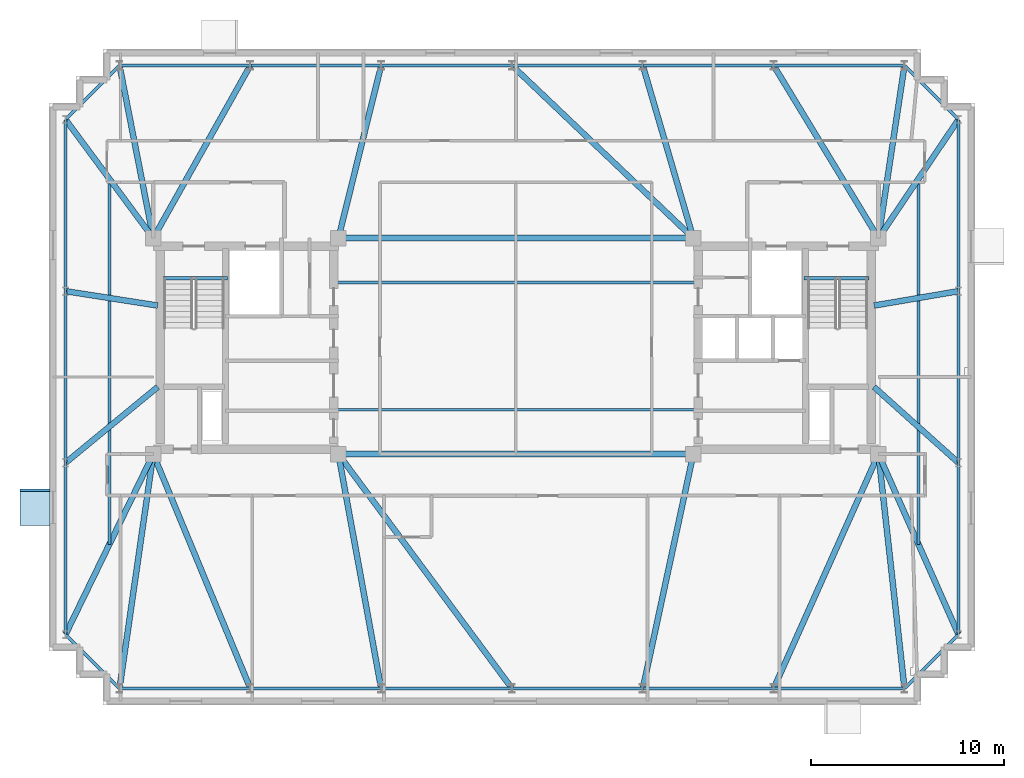
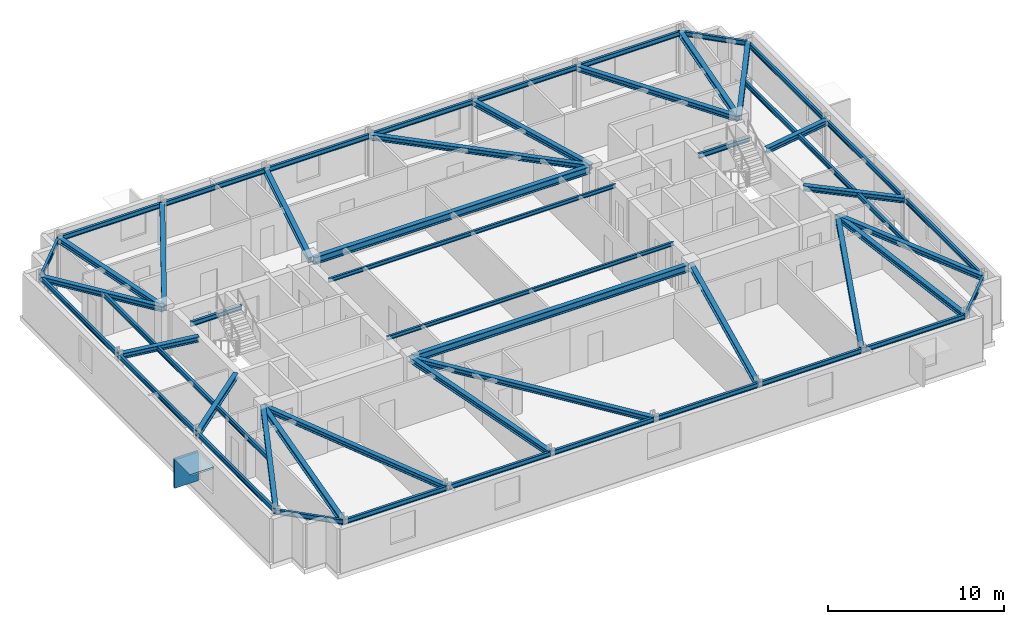
# One storey, part 4 of 10: 52 beams, 2 plates.
"""IFC4 building model written with IfcOpenShell, lengths in metres."""

from ifc_helpers import new_model, si_unit, direction, frame, origin, origin_2d, place, context, subcontext, project, spatial, rectangle, i_section, extrude, material, layer, layer_set, material_profile, profile_set, type_object, element, save


model = new_model("IFC4")

# Units and contexts
model_context = context("Model", 3, precision=1e-05, world=origin(), true_north=direction((0.0, 1.0)))
body_context = subcontext(model_context, "Body", "Model", "MODEL_VIEW")
ifc_project = project(units=[si_unit("LENGTHUNIT", "METRE"), si_unit("AREAUNIT", "SQUARE_METRE"), si_unit("VOLUMEUNIT", "CUBIC_METRE"), si_unit("PLANEANGLEUNIT", "RADIAN"), si_unit("MASSUNIT", "GRAM", prefix="KILO")], contexts=[model_context])

# Site, building, storey
site_placement = place(None, origin())
site = spatial("IfcSite", under=ifc_project, at=site_placement, CompositionType="ELEMENT")
building_placement = place(site_placement, origin())
building = spatial("IfcBuilding", under=site, at=building_placement, Name="Qobustan Lattice House", CompositionType="ELEMENT")
storey_placement = place(building_placement, frame((0.0, 0.0, 235.0)))
storey = spatial("IfcBuildingStorey", under=building, at=storey_placement, Name="L66", CompositionType="ELEMENT", Elevation=235.0)

# Beams
ifc_material_1 = material(Name="Steel S355", Category="steel")
ifc_material_profile_1 = material_profile(ifc_material_1, i_section(OverallWidth=0.300048828125, OverallDepth=0.5, WebThickness=0.014404296875, FlangeThickness=0.028076171875, FilletRadius=0.027099609375, at=origin_2d()), Name="HEB500")
ifc_profile_set_1 = profile_set([ifc_material_profile_1], Name="Steel S355")
beam_type_1 = type_object("IfcBeamType", Name="BM-CG-HEB500", PredefinedType="USERDEFINED", material=ifc_profile_set_1)
for number, where, z_axis, x_axis, name in (
    (1, (-9.050048828125, -5.60009765625, 2.7900390625), (1.0, 0.0, 0.0), (0.0, 1.0, 0.0), "L66 core spine girder CG-CS"),
    (2, (-9.050048828125, 5.60009765625, 2.7900390625), (1.0, 0.0, 0.0), (0.0, 1.0, 0.0), "L66 core spine girder CG-CN"),
):
    element("IfcBeam", number, at=place(storey_placement, frame(where, z_axis=z_axis, x_axis=x_axis)), inside=storey, type_object=beam_type_1, Name=name, ObjectType="GIRDER", PredefinedType="USERDEFINED", context=body_context, shape_type="SweptSolid", body=[
        extrude(i_section(OverallWidth=0.300048828125, OverallDepth=0.5, WebThickness=0.014404296875, FlangeThickness=0.028076171875, FilletRadius=0.027099609375, at=origin_2d()), origin(), (0.0, 0.0, 1.0), 18.10009765625),
    ])
ifc_material_2 = material(Name="Steel S355", Category="steel")
ifc_material_profile_2 = material_profile(ifc_material_2, i_section(OverallWidth=0.300048828125, OverallDepth=0.360107421875, WebThickness=0.012451171875, FlangeThickness=0.0224609375, FilletRadius=0.027099609375, at=origin_2d()), Name="HEB360")
ifc_profile_set_2 = profile_set([ifc_material_profile_2], Name="Steel S355")
beam_type_2 = type_object("IfcBeamType", Name="BM-FLG-HEB360", PredefinedType="USERDEFINED", material=ifc_profile_set_2)
beam_1_placement = place(storey_placement, frame((-20.54638671875, -17.725341796875, 2.860107421875), z_axis=(0.142545171265, 0.989788297642, 0.0), x_axis=(-0.989788297642, 0.142545171265, 0.0)))
element("IfcBeam", 3, at=beam_1_placement, inside=storey, type_object=beam_type_2, Name="L66 primary floor girder RAD-S1W", ObjectType="GIRDER", PredefinedType="USERDEFINED", context=body_context, shape_type="SweptSolid", body=[
    extrude(i_section(OverallWidth=0.300048828125, OverallDepth=0.360107421875, WebThickness=0.012451171875, FlangeThickness=0.0224609375, FilletRadius=0.027099609375, at=origin_2d()), origin(), (0.0, 0.0, 1.0), 12.225341796875),
])
beam_2_placement = place(storey_placement, frame((-13.7763671875, -17.726806640625, 2.860107421875), z_axis=(-0.38270783551, 0.92386942402, 0.0), x_axis=(-0.92386942402, -0.38270783551, 0.0)))
element("IfcBeam", 4, at=beam_2_placement, inside=storey, type_object=beam_type_2, Name="L66 primary floor girder RAD-S2", ObjectType="GIRDER", PredefinedType="USERDEFINED", context=body_context, shape_type="SweptSolid", body=[
    extrude(i_section(OverallWidth=0.300048828125, OverallDepth=0.360107421875, WebThickness=0.012451171875, FlangeThickness=0.0224609375, FilletRadius=0.027099609375, at=origin_2d()), origin(), (0.0, 0.0, 1.0), 13.10107421875),
])
beam_3_placement = place(storey_placement, frame((-6.98779296875, -17.725341796875, 2.860107421875), z_axis=(-0.179484493831, 0.983760802469, 0.0), x_axis=(-0.983760802469, -0.179484493831, 0.0)))
element("IfcBeam", 5, at=beam_3_placement, inside=storey, type_object=beam_type_2, Name="L66 primary floor girder RAD-S3", ObjectType="GIRDER", PredefinedType="USERDEFINED", context=body_context, shape_type="SweptSolid", body=[
    extrude(i_section(OverallWidth=0.300048828125, OverallDepth=0.360107421875, WebThickness=0.012451171875, FlangeThickness=0.0224609375, FilletRadius=0.027099609375, at=origin_2d()), origin(), (0.0, 0.0, 1.0), 12.300537109375),
])
beam_4_placement = place(storey_placement, frame((-0.21484375, -17.72998046875, 2.860107421875), z_axis=(-0.595225226069, 0.803558915233, 0.0), x_axis=(-0.803558915233, -0.595225226069, 0.0)))
element("IfcBeam", 6, at=beam_4_placement, inside=storey, type_object=beam_type_2, Name="L66 primary floor girder RAD-S4", ObjectType="GIRDER", PredefinedType="USERDEFINED", context=body_context, shape_type="SweptSolid", body=[
    extrude(i_section(OverallWidth=0.300048828125, OverallDepth=0.360107421875, WebThickness=0.012451171875, FlangeThickness=0.0224609375, FilletRadius=0.027099609375, at=origin_2d()), origin(), (0.0, 0.0, 1.0), 15.0703125),
])
beam_5_placement = place(storey_placement, frame((6.588623046875, -17.7255859375, 2.860107421875), z_axis=(0.210523018319, 0.977588900693, 0.0), x_axis=(-0.977588900693, 0.210523018319, 0.0)))
element("IfcBeam", 7, at=beam_5_placement, inside=storey, type_object=beam_type_2, Name="L66 primary floor girder RAD-S5", ObjectType="GIRDER", PredefinedType="USERDEFINED", context=body_context, shape_type="SweptSolid", body=[
    extrude(i_section(OverallWidth=0.300048828125, OverallDepth=0.360107421875, WebThickness=0.012451171875, FlangeThickness=0.0224609375, FilletRadius=0.027099609375, at=origin_2d()), origin(), (0.0, 0.0, 1.0), 12.37841796875),
])
beam_6_placement = place(storey_placement, frame((13.376953125, -17.727294921875, 2.860107421875), z_axis=(0.408219903586, 0.912883623643, 0.0), x_axis=(-0.912883623643, 0.408219903586, 0.0)))
element("IfcBeam", 8, at=beam_6_placement, inside=storey, type_object=beam_type_2, Name="L66 primary floor girder RAD-S6", ObjectType="GIRDER", PredefinedType="USERDEFINED", context=body_context, shape_type="SweptSolid", body=[
    extrude(i_section(OverallWidth=0.300048828125, OverallDepth=0.360107421875, WebThickness=0.012451171875, FlangeThickness=0.0224609375, FilletRadius=0.027099609375, at=origin_2d()), origin(), (0.0, 0.0, 1.0), 13.259521484375),
])
beam_7_placement = place(storey_placement, frame((20.147216796875, -17.72509765625, 2.860107421875), z_axis=(-0.110431526075, 0.993883734674, 0.0), x_axis=(-0.993883734674, -0.110431526075, 0.0)))
element("IfcBeam", 9, at=beam_7_placement, inside=storey, type_object=beam_type_2, Name="L66 primary floor girder RAD-S7E", ObjectType="GIRDER", PredefinedType="USERDEFINED", context=body_context, shape_type="SweptSolid", body=[
    extrude(i_section(OverallWidth=0.300048828125, OverallDepth=0.360107421875, WebThickness=0.012451171875, FlangeThickness=0.0224609375, FilletRadius=0.027099609375, at=origin_2d()), origin(), (0.0, 0.0, 1.0), 12.1748046875),
])
beam_8_placement = place(storey_placement, frame((-20.545166015625, 14.525390625, 2.860107421875), z_axis=(0.191905644581, -0.981413380578, 0.0), x_axis=(0.981413380578, 0.191905644581, 0.0)))
element("IfcBeam", 10, at=beam_8_placement, inside=storey, type_object=beam_type_2, Name="L66 primary floor girder RAD-N7W", ObjectType="GIRDER", PredefinedType="USERDEFINED", context=body_context, shape_type="SweptSolid", body=[
    extrude(i_section(OverallWidth=0.300048828125, OverallDepth=0.360107421875, WebThickness=0.012451171875, FlangeThickness=0.0224609375, FilletRadius=0.027099609375, at=origin_2d()), origin(), (0.0, 0.0, 1.0), 9.0693359375),
])
beam_9_placement = place(storey_placement, frame((-13.779052734375, 14.5283203125, 2.860107421875), z_axis=(-0.490160276962, -0.871632320929, 0.0), x_axis=(0.871632320929, -0.490160276962, 0.0)))
element("IfcBeam", 11, at=beam_9_placement, inside=storey, type_object=beam_type_2, Name="L66 primary floor girder RAD-N6", ObjectType="GIRDER", PredefinedType="USERDEFINED", context=body_context, shape_type="SweptSolid", body=[
    extrude(i_section(OverallWidth=0.300048828125, OverallDepth=0.360107421875, WebThickness=0.012451171875, FlangeThickness=0.0224609375, FilletRadius=0.027099609375, at=origin_2d()), origin(), (0.0, 0.0, 1.0), 10.21826171875),
])
beam_10_placement = place(storey_placement, frame((-6.9892578125, 14.525634765625, 2.860107421875), z_axis=(-0.240430288899, -0.970666408289, 0.0), x_axis=(0.970666408289, -0.240430288899, 0.0)))
element("IfcBeam", 12, at=beam_10_placement, inside=storey, type_object=beam_type_2, Name="L66 primary floor girder RAD-N5", ObjectType="GIRDER", PredefinedType="USERDEFINED", context=body_context, shape_type="SweptSolid", body=[
    extrude(i_section(OverallWidth=0.300048828125, OverallDepth=0.360107421875, WebThickness=0.012451171875, FlangeThickness=0.0224609375, FilletRadius=0.027099609375, at=origin_2d()), origin(), (0.0, 0.0, 1.0), 9.17041015625),
])
beam_11_placement = place(storey_placement, frame((-0.181884765625, 14.53271484375, 2.860107421875), z_axis=(0.724228633775, -0.689559921995, 0.0), x_axis=(0.689559921995, 0.724228633775, 0.0)))
element("IfcBeam", 13, at=beam_11_placement, inside=storey, type_object=beam_type_2, Name="L66 primary floor girder RAD-N4", ObjectType="GIRDER", PredefinedType="USERDEFINED", context=body_context, shape_type="SweptSolid", body=[
    extrude(i_section(OverallWidth=0.300048828125, OverallDepth=0.360107421875, WebThickness=0.012451171875, FlangeThickness=0.0224609375, FilletRadius=0.027099609375, at=origin_2d()), origin(), (0.0, 0.0, 1.0), 12.92919921875),
])
beam_12_placement = place(storey_placement, frame((6.59033203125, 14.52587890625, 2.860107421875), z_axis=(0.28063676088, -0.959814048888, 0.0), x_axis=(0.959814048888, 0.28063676088, 0.0)))
element("IfcBeam", 14, at=beam_12_placement, inside=storey, type_object=beam_type_2, Name="L66 primary floor girder RAD-N3", ObjectType="GIRDER", PredefinedType="USERDEFINED", context=body_context, shape_type="SweptSolid", body=[
    extrude(i_section(OverallWidth=0.300048828125, OverallDepth=0.360107421875, WebThickness=0.012451171875, FlangeThickness=0.0224609375, FilletRadius=0.027099609375, at=origin_2d()), origin(), (0.0, 0.0, 1.0), 9.274658203125),
])
beam_13_placement = place(storey_placement, frame((13.379638671875, 14.528564453125, 2.860107421875), z_axis=(0.518943895492, -0.854808302096, 0.0), x_axis=(0.854808302096, 0.518943895492, 0.0)))
element("IfcBeam", 15, at=beam_13_placement, inside=storey, type_object=beam_type_2, Name="L66 primary floor girder RAD-N2", ObjectType="GIRDER", PredefinedType="USERDEFINED", context=body_context, shape_type="SweptSolid", body=[
    extrude(i_section(OverallWidth=0.300048828125, OverallDepth=0.360107421875, WebThickness=0.012451171875, FlangeThickness=0.0224609375, FilletRadius=0.027099609375, at=origin_2d()), origin(), (0.0, 0.0, 1.0), 10.420166015625),
])
beam_14_placement = place(storey_placement, frame((20.146240234375, 14.525390625, 2.860107421875), z_axis=(-0.149148118249, -0.988814865798, 0.0), x_axis=(0.988814865798, -0.149148118249, 0.0)))
element("IfcBeam", 16, at=beam_14_placement, inside=storey, type_object=beam_type_2, Name="L66 primary floor girder RAD-N1E", ObjectType="GIRDER", PredefinedType="USERDEFINED", context=body_context, shape_type="SweptSolid", body=[
    extrude(i_section(OverallWidth=0.300048828125, OverallDepth=0.360107421875, WebThickness=0.012451171875, FlangeThickness=0.0224609375, FilletRadius=0.027099609375, at=origin_2d()), origin(), (0.0, 0.0, 1.0), 9.001220703125),
])
beam_15_placement = place(storey_placement, frame((-23.335205078125, 11.72998046875, 2.860107421875), z_axis=(0.594754993974, -0.80390702021, 0.0), x_axis=(0.80390702021, 0.594754993974, 0.0)))
element("IfcBeam", 17, at=beam_15_placement, inside=storey, type_object=beam_type_2, Name="L66 primary floor girder RAD-W1", ObjectType="GIRDER", PredefinedType="USERDEFINED", context=body_context, shape_type="SweptSolid", body=[
    extrude(i_section(OverallWidth=0.300048828125, OverallDepth=0.360107421875, WebThickness=0.012451171875, FlangeThickness=0.0224609375, FilletRadius=0.027099609375, at=origin_2d()), origin(), (0.0, 0.0, 1.0), 7.60009765625),
])
beam_16_placement = place(storey_placement, frame((-23.3251953125, 2.84619140625, 2.860107421875), z_axis=(0.988014453876, -0.154361390677, 0.0), x_axis=(0.154361390677, 0.988014453876, 0.0)))
element("IfcBeam", 18, at=beam_16_placement, inside=storey, type_object=beam_type_2, Name="L66 primary floor girder RAD-W2", ObjectType="GIRDER", PredefinedType="USERDEFINED", context=body_context, shape_type="SweptSolid", body=[
    extrude(i_section(OverallWidth=0.300048828125, OverallDepth=0.360107421875, WebThickness=0.012451171875, FlangeThickness=0.0224609375, FilletRadius=0.027099609375, at=origin_2d()), origin(), (0.0, 0.0, 1.0), 4.80810546875),
])
beam_17_placement = place(storey_placement, frame((-23.330810546875, -6.0341796875, 2.860107421875), z_axis=(0.772169041192, 0.635417163621, 0.0), x_axis=(-0.635417163621, 0.772169041192, 0.0)))
element("IfcBeam", 19, at=beam_17_placement, inside=storey, type_object=beam_type_2, Name="L66 primary floor girder RAD-W3", ObjectType="GIRDER", PredefinedType="USERDEFINED", context=body_context, shape_type="SweptSolid", body=[
    extrude(i_section(OverallWidth=0.300048828125, OverallDepth=0.360107421875, WebThickness=0.012451171875, FlangeThickness=0.0224609375, FilletRadius=0.027099609375, at=origin_2d()), origin(), (0.0, 0.0, 1.0), 6.166259765625),
])
beam_18_placement = place(storey_placement, frame((-23.339111328125, -14.927490234375, 2.860107421875), z_axis=(0.437590490598, 0.899174378271, 0.0), x_axis=(-0.899174378271, 0.437590490598, 0.0)))
element("IfcBeam", 20, at=beam_18_placement, inside=storey, type_object=beam_type_2, Name="L66 primary floor girder RAD-W4", ObjectType="GIRDER", PredefinedType="USERDEFINED", context=body_context, shape_type="SweptSolid", body=[
    extrude(i_section(OverallWidth=0.300048828125, OverallDepth=0.360107421875, WebThickness=0.012451171875, FlangeThickness=0.0224609375, FilletRadius=0.027099609375, at=origin_2d()), origin(), (0.0, 0.0, 1.0), 10.348388671875),
])
beam_19_placement = place(storey_placement, frame((22.93603515625, 11.729248046875, 2.860107421875), z_axis=(-0.559355068937, -0.828928167488, 0.0), x_axis=(0.828928167488, -0.559355068937, 0.0)))
element("IfcBeam", 21, at=beam_19_placement, inside=storey, type_object=beam_type_2, Name="L66 primary floor girder RAD-E4", ObjectType="GIRDER", PredefinedType="USERDEFINED", context=body_context, shape_type="SweptSolid", body=[
    extrude(i_section(OverallWidth=0.300048828125, OverallDepth=0.360107421875, WebThickness=0.012451171875, FlangeThickness=0.0224609375, FilletRadius=0.027099609375, at=origin_2d()), origin(), (0.0, 0.0, 1.0), 7.369384765625),
])
beam_20_placement = place(storey_placement, frame((22.92529296875, 2.845703125, 2.860107421875), z_axis=(-0.985786297247, -0.168004095664, 0.0), x_axis=(0.168004095664, -0.985786297247, 0.0)))
element("IfcBeam", 22, at=beam_20_placement, inside=storey, type_object=beam_type_2, Name="L66 primary floor girder RAD-E3", ObjectType="GIRDER", PredefinedType="USERDEFINED", context=body_context, shape_type="SweptSolid", body=[
    extrude(i_section(OverallWidth=0.300048828125, OverallDepth=0.360107421875, WebThickness=0.012451171875, FlangeThickness=0.0224609375, FilletRadius=0.027099609375, at=origin_2d()), origin(), (0.0, 0.0, 1.0), 4.413330078125),
])
beam_21_placement = place(storey_placement, frame((22.931396484375, -6.033203125, 2.860107421875), z_axis=(-0.744142492307, 0.668020921186, 0.0), x_axis=(-0.668020921186, -0.744142492307, 0.0)))
element("IfcBeam", 23, at=beam_21_placement, inside=storey, type_object=beam_type_2, Name="L66 primary floor girder RAD-E2", ObjectType="GIRDER", PredefinedType="USERDEFINED", context=body_context, shape_type="SweptSolid", body=[
    extrude(i_section(OverallWidth=0.300048828125, OverallDepth=0.360107421875, WebThickness=0.012451171875, FlangeThickness=0.0224609375, FilletRadius=0.027099609375, at=origin_2d()), origin(), (0.0, 0.0, 1.0), 5.86279296875),
])
beam_22_placement = place(storey_placement, frame((22.93994140625, -14.927001953125, 2.860107421875), z_axis=(-0.405702269061, 0.914005289306, 0.0), x_axis=(-0.914005289306, -0.405702269061, 0.0)))
element("IfcBeam", 24, at=beam_22_placement, inside=storey, type_object=beam_type_2, Name="L66 primary floor girder RAD-E1", ObjectType="GIRDER", PredefinedType="USERDEFINED", context=body_context, shape_type="SweptSolid", body=[
    extrude(i_section(OverallWidth=0.300048828125, OverallDepth=0.360107421875, WebThickness=0.012451171875, FlangeThickness=0.0224609375, FilletRadius=0.027099609375, at=origin_2d()), origin(), (0.0, 0.0, 1.0), 10.1796875),
])
ifc_material_3 = material(Name="Steel S355", Category="steel")
ifc_material_profile_3 = material_profile(ifc_material_3, i_section(OverallWidth=0.135009765625, OverallDepth=0.27001953125, WebThickness=0.006591796875, FlangeThickness=0.01025390625, FilletRadius=0.014892578125, at=origin_2d()), Name="IPE270")
ifc_profile_set_3 = profile_set([ifc_material_profile_3], Name="Steel S355")
beam_type_3 = type_object("IfcBeamType", Name="BM-JST-IPE270", PredefinedType="JOIST", material=ifc_profile_set_3)
for number, where, z_axis, x_axis, name in (
    (25, (-9.39990234375, -3.300048828125, 2.905029296875), (1.0, 0.0, 0.0), (0.0, 1.0, 0.0), "L66 central span floor joist 1"),
    (26, (-9.39990234375, 3.300048828125, 2.905029296875), (1.0, 0.0, 0.0), (0.0, 1.0, 0.0), "L66 central span floor joist 2"),
):
    element("IfcBeam", number, at=place(storey_placement, frame(where, z_axis=z_axis, x_axis=x_axis)), inside=storey, type_object=beam_type_3, Name=name, PredefinedType="JOIST", context=body_context, shape_type="SweptSolid", body=[
        extrude(i_section(OverallWidth=0.135009765625, OverallDepth=0.27001953125, WebThickness=0.006591796875, FlangeThickness=0.01025390625, FilletRadius=0.014892578125, at=origin_2d()), origin(), (0.0, 0.0, 1.0), 18.7998046875),
    ])
ifc_material_4 = material(Name="Steel S355", Category="steel")
ifc_material_profile_4 = material_profile(ifc_material_4, i_section(OverallWidth=0.159912109375, OverallDepth=0.330078125, WebThickness=0.007568359375, FlangeThickness=0.011474609375, FilletRadius=0.01806640625, at=origin_2d()), Name="IPE330")
ifc_profile_set_4 = profile_set([ifc_material_profile_4], Name="Steel S355")
beam_type_4 = type_object("IfcBeamType", Name="BM-SEC-IPE330", PredefinedType="BEAM", material=ifc_profile_set_4)
for number, where, z_axis, x_axis, name in (
    (27, (-21.074951171875, 8.675048828125, 2.875), (0.0, -1.0, 0.0), (1.0, 0.0, 0.0), "L66 west wing secondary beam"),
    (28, (20.875, 8.675048828125, 2.875), (0.0, -1.0, 0.0), (1.0, 0.0, 0.0), "L66 east wing secondary beam"),
):
    element("IfcBeam", number, at=place(storey_placement, frame(where, z_axis=z_axis, x_axis=x_axis)), inside=storey, type_object=beam_type_4, Name=name, PredefinedType="BEAM", context=body_context, shape_type="SweptSolid", body=[
        extrude(i_section(OverallWidth=0.159912109375, OverallDepth=0.330078125, WebThickness=0.007568359375, FlangeThickness=0.011474609375, FilletRadius=0.01806640625, at=origin_2d()), origin(), (0.0, 0.0, 1.0), 18.949951171875),
    ])
ifc_material_5 = material(Name="Steel S355", Category="steel")
ifc_material_profile_5 = material_profile(ifc_material_5, i_section(OverallWidth=0.159912109375, OverallDepth=0.330078125, WebThickness=0.007568359375, FlangeThickness=0.011474609375, FilletRadius=0.01806640625, at=origin_2d()), Name="IPE330")
ifc_profile_set_5 = profile_set([ifc_material_profile_5], Name="Steel S355")
beam_type_5 = type_object("IfcBeamType", Name="BM-SPD-IPE330", PredefinedType="SPANDREL", material=ifc_profile_set_5)
for number, where, z_axis, x_axis, name in (
    (29, (-18.300048828125, 3.52001953125, 2.875), (1.0, 0.0, 0.0), (0.0, 1.0, 0.0), "L66 west stair landing trimmer beam"),
    (30, (14.949951171875, 3.52001953125, 2.875), (1.0, 0.0, 0.0), (0.0, 1.0, 0.0), "L66 east stair landing trimmer beam"),
):
    element("IfcBeam", number, at=place(storey_placement, frame(where, z_axis=z_axis, x_axis=x_axis)), inside=storey, type_object=beam_type_5, Name=name, PredefinedType="SPANDREL", context=body_context, shape_type="SweptSolid", body=[
        extrude(i_section(OverallWidth=0.159912109375, OverallDepth=0.330078125, WebThickness=0.007568359375, FlangeThickness=0.011474609375, FilletRadius=0.01806640625, at=origin_2d()), origin(), (0.0, 0.0, 1.0), 3.35009765625),
    ])
beam_23_placement = place(storey_placement, frame((-20.52490234375, -17.75, 2.875), z_axis=(1.0, 0.0, 0.0), x_axis=(0.0, 1.0, 0.0)))
element("IfcBeam", 31, at=beam_23_placement, inside=storey, type_object=beam_type_5, Name="L66 perimeter spandrel S1-S2", PredefinedType="SPANDREL", context=body_context, shape_type="SweptSolid", body=[
    extrude(i_section(OverallWidth=0.159912109375, OverallDepth=0.330078125, WebThickness=0.007568359375, FlangeThickness=0.011474609375, FilletRadius=0.01806640625, at=origin_2d()), origin(), (0.0, 0.0, 1.0), 6.733154296875),
])
beam_24_placement = place(storey_placement, frame((-13.74169921875, -17.75, 2.875), z_axis=(1.0, 0.0, 0.0), x_axis=(0.0, 1.0, 0.0)))
element("IfcBeam", 32, at=beam_24_placement, inside=storey, type_object=beam_type_5, Name="L66 perimeter spandrel S2-S3", PredefinedType="SPANDREL", context=body_context, shape_type="SweptSolid", body=[
    extrude(i_section(OverallWidth=0.159912109375, OverallDepth=0.330078125, WebThickness=0.007568359375, FlangeThickness=0.011474609375, FilletRadius=0.01806640625, at=origin_2d()), origin(), (0.0, 0.0, 1.0), 6.7333984375),
])
beam_25_placement = place(storey_placement, frame((-6.958251953125, -17.75, 2.875), z_axis=(1.0, 0.0, 0.0), x_axis=(0.0, 1.0, 0.0)))
element("IfcBeam", 33, at=beam_25_placement, inside=storey, type_object=beam_type_5, Name="L66 perimeter spandrel S3-S4", PredefinedType="SPANDREL", context=body_context, shape_type="SweptSolid", body=[
    extrude(i_section(OverallWidth=0.159912109375, OverallDepth=0.330078125, WebThickness=0.007568359375, FlangeThickness=0.011474609375, FilletRadius=0.01806640625, at=origin_2d()), origin(), (0.0, 0.0, 1.0), 6.733154296875),
])
for number, where, z_axis, x_axis, name in (
    (34, (-0.175048828125, -17.75, 2.875), (1.0, 0.0, 0.0), (0.0, 1.0, 0.0), "L66 perimeter spandrel S4-S5"),
    (35, (6.6083984375, -17.75, 2.875), (1.0, 0.0, 0.0), (0.0, 1.0, 0.0), "L66 perimeter spandrel S5-S6"),
    (36, (13.3916015625, -17.75, 2.875), (1.0, 0.0, 0.0), (0.0, 1.0, 0.0), "L66 perimeter spandrel S6-S7"),
):
    element("IfcBeam", number, at=place(storey_placement, frame(where, z_axis=z_axis, x_axis=x_axis)), inside=storey, type_object=beam_type_5, Name=name, PredefinedType="SPANDREL", context=body_context, shape_type="SweptSolid", body=[
        extrude(i_section(OverallWidth=0.159912109375, OverallDepth=0.330078125, WebThickness=0.007568359375, FlangeThickness=0.011474609375, FilletRadius=0.01806640625, at=origin_2d()), origin(), (0.0, 0.0, 1.0), 6.7333984375),
    ])
beam_26_placement = place(storey_placement, frame((20.167724609375, -17.732421875, 2.875), z_axis=(0.707106781187, 0.707106781187, 0.0), x_axis=(-0.707106781187, 0.707106781187, 0.0)))
element("IfcBeam", 37, at=beam_26_placement, inside=storey, type_object=beam_type_5, Name="L66 perimeter spandrel S7-E1", PredefinedType="SPANDREL", context=body_context, shape_type="SweptSolid", body=[
    extrude(i_section(OverallWidth=0.159912109375, OverallDepth=0.330078125, WebThickness=0.007568359375, FlangeThickness=0.011474609375, FilletRadius=0.01806640625, at=origin_2d()), origin(), (0.0, 0.0, 1.0), 3.909912109375),
])
beam_27_placement = place(storey_placement, frame((22.949951171875, -14.925048828125, 2.875), z_axis=(0.0, 1.0, 0.0), x_axis=(-1.0, 0.0, 0.0)))
element("IfcBeam", 38, at=beam_27_placement, inside=storey, type_object=beam_type_5, Name="L66 perimeter spandrel E1-E2", PredefinedType="SPANDREL", context=body_context, shape_type="SweptSolid", body=[
    extrude(i_section(OverallWidth=0.159912109375, OverallDepth=0.330078125, WebThickness=0.007568359375, FlangeThickness=0.011474609375, FilletRadius=0.01806640625, at=origin_2d()), origin(), (0.0, 0.0, 1.0), 8.85009765625),
])
beam_28_placement = place(storey_placement, frame((22.949951171875, -6.02490234375, 2.875), z_axis=(0.0, 1.0, 0.0), x_axis=(-1.0, 0.0, 0.0)))
element("IfcBeam", 39, at=beam_28_placement, inside=storey, type_object=beam_type_5, Name="L66 perimeter spandrel E2-E3", PredefinedType="SPANDREL", context=body_context, shape_type="SweptSolid", body=[
    extrude(i_section(OverallWidth=0.159912109375, OverallDepth=0.330078125, WebThickness=0.007568359375, FlangeThickness=0.011474609375, FilletRadius=0.01806640625, at=origin_2d()), origin(), (0.0, 0.0, 1.0), 8.849853515625),
])
beam_29_placement = place(storey_placement, frame((22.949951171875, 2.875, 2.875), z_axis=(0.0, 1.0, 0.0), x_axis=(-1.0, 0.0, 0.0)))
element("IfcBeam", 40, at=beam_29_placement, inside=storey, type_object=beam_type_5, Name="L66 perimeter spandrel E3-E4", PredefinedType="SPANDREL", context=body_context, shape_type="SweptSolid", body=[
    extrude(i_section(OverallWidth=0.159912109375, OverallDepth=0.330078125, WebThickness=0.007568359375, FlangeThickness=0.011474609375, FilletRadius=0.01806640625, at=origin_2d()), origin(), (0.0, 0.0, 1.0), 8.85009765625),
])
beam_30_placement = place(storey_placement, frame((22.932373046875, 11.767578125, 2.875), z_axis=(-0.707106781187, 0.707106781187, 0.0), x_axis=(-0.707106781187, -0.707106781187, 0.0)))
element("IfcBeam", 41, at=beam_30_placement, inside=storey, type_object=beam_type_5, Name="L66 perimeter spandrel E4-N1", PredefinedType="SPANDREL", context=body_context, shape_type="SweptSolid", body=[
    extrude(i_section(OverallWidth=0.159912109375, OverallDepth=0.330078125, WebThickness=0.007568359375, FlangeThickness=0.011474609375, FilletRadius=0.01806640625, at=origin_2d()), origin(), (0.0, 0.0, 1.0), 3.909912109375),
])
for number, where, z_axis, x_axis, name in (
    (42, (20.125, 14.550048828125, 2.875), (-1.0, 0.0, 0.0), (0.0, -1.0, 0.0), "L66 perimeter spandrel N1-N2"),
    (43, (13.341796875, 14.550048828125, 2.875), (-1.0, 0.0, 0.0), (0.0, -1.0, 0.0), "L66 perimeter spandrel N2-N3"),
    (44, (6.558349609375, 14.550048828125, 2.875), (-1.0, 0.0, 0.0), (0.0, -1.0, 0.0), "L66 perimeter spandrel N3-N4"),
):
    element("IfcBeam", number, at=place(storey_placement, frame(where, z_axis=z_axis, x_axis=x_axis)), inside=storey, type_object=beam_type_5, Name=name, PredefinedType="SPANDREL", context=body_context, shape_type="SweptSolid", body=[
        extrude(i_section(OverallWidth=0.159912109375, OverallDepth=0.330078125, WebThickness=0.007568359375, FlangeThickness=0.011474609375, FilletRadius=0.01806640625, at=origin_2d()), origin(), (0.0, 0.0, 1.0), 6.7333984375),
    ])
beam_31_placement = place(storey_placement, frame((-0.22509765625, 14.550048828125, 2.875), z_axis=(-1.0, 0.0, 0.0), x_axis=(0.0, -1.0, 0.0)))
element("IfcBeam", 45, at=beam_31_placement, inside=storey, type_object=beam_type_5, Name="L66 perimeter spandrel N4-N5", PredefinedType="SPANDREL", context=body_context, shape_type="SweptSolid", body=[
    extrude(i_section(OverallWidth=0.159912109375, OverallDepth=0.330078125, WebThickness=0.007568359375, FlangeThickness=0.011474609375, FilletRadius=0.01806640625, at=origin_2d()), origin(), (0.0, 0.0, 1.0), 6.733154296875),
])
beam_32_placement = place(storey_placement, frame((-7.00830078125, 14.550048828125, 2.875), z_axis=(-1.0, 0.0, 0.0), x_axis=(0.0, -1.0, 0.0)))
element("IfcBeam", 46, at=beam_32_placement, inside=storey, type_object=beam_type_5, Name="L66 perimeter spandrel N5-N6", PredefinedType="SPANDREL", context=body_context, shape_type="SweptSolid", body=[
    extrude(i_section(OverallWidth=0.159912109375, OverallDepth=0.330078125, WebThickness=0.007568359375, FlangeThickness=0.011474609375, FilletRadius=0.01806640625, at=origin_2d()), origin(), (0.0, 0.0, 1.0), 6.7333984375),
])
beam_33_placement = place(storey_placement, frame((-13.791748046875, 14.550048828125, 2.875), z_axis=(-1.0, 0.0, 0.0), x_axis=(0.0, -1.0, 0.0)))
element("IfcBeam", 47, at=beam_33_placement, inside=storey, type_object=beam_type_5, Name="L66 perimeter spandrel N6-N7", PredefinedType="SPANDREL", context=body_context, shape_type="SweptSolid", body=[
    extrude(i_section(OverallWidth=0.159912109375, OverallDepth=0.330078125, WebThickness=0.007568359375, FlangeThickness=0.011474609375, FilletRadius=0.01806640625, at=origin_2d()), origin(), (0.0, 0.0, 1.0), 6.733154296875),
])
beam_34_placement = place(storey_placement, frame((-20.567626953125, 14.5322265625, 2.875), z_axis=(-0.707106781187, -0.707106781187, 0.0), x_axis=(0.707106781187, -0.707106781187, 0.0)))
element("IfcBeam", 48, at=beam_34_placement, inside=storey, type_object=beam_type_5, Name="L66 perimeter spandrel N7-W1", PredefinedType="SPANDREL", context=body_context, shape_type="SweptSolid", body=[
    extrude(i_section(OverallWidth=0.159912109375, OverallDepth=0.330078125, WebThickness=0.007568359375, FlangeThickness=0.011474609375, FilletRadius=0.01806640625, at=origin_2d()), origin(), (0.0, 0.0, 1.0), 3.909912109375),
])
beam_35_placement = place(storey_placement, frame((-23.35009765625, 11.72509765625, 2.875), z_axis=(0.0, -1.0, 0.0), x_axis=(1.0, 0.0, 0.0)))
element("IfcBeam", 49, at=beam_35_placement, inside=storey, type_object=beam_type_5, Name="L66 perimeter spandrel W1-W2", PredefinedType="SPANDREL", context=body_context, shape_type="SweptSolid", body=[
    extrude(i_section(OverallWidth=0.159912109375, OverallDepth=0.330078125, WebThickness=0.007568359375, FlangeThickness=0.011474609375, FilletRadius=0.01806640625, at=origin_2d()), origin(), (0.0, 0.0, 1.0), 8.85009765625),
])
beam_36_placement = place(storey_placement, frame((-23.35009765625, 2.824951171875, 2.875), z_axis=(0.0, -1.0, 0.0), x_axis=(1.0, 0.0, 0.0)))
element("IfcBeam", 50, at=beam_36_placement, inside=storey, type_object=beam_type_5, Name="L66 perimeter spandrel W2-W3", PredefinedType="SPANDREL", context=body_context, shape_type="SweptSolid", body=[
    extrude(i_section(OverallWidth=0.159912109375, OverallDepth=0.330078125, WebThickness=0.007568359375, FlangeThickness=0.011474609375, FilletRadius=0.01806640625, at=origin_2d()), origin(), (0.0, 0.0, 1.0), 8.849853515625),
])
beam_37_placement = place(storey_placement, frame((-23.35009765625, -6.074951171875, 2.875), z_axis=(0.0, -1.0, 0.0), x_axis=(1.0, 0.0, 0.0)))
element("IfcBeam", 51, at=beam_37_placement, inside=storey, type_object=beam_type_5, Name="L66 perimeter spandrel W3-W4", PredefinedType="SPANDREL", context=body_context, shape_type="SweptSolid", body=[
    extrude(i_section(OverallWidth=0.159912109375, OverallDepth=0.330078125, WebThickness=0.007568359375, FlangeThickness=0.011474609375, FilletRadius=0.01806640625, at=origin_2d()), origin(), (0.0, 0.0, 1.0), 8.85009765625),
])
beam_38_placement = place(storey_placement, frame((-23.332275390625, -14.9677734375, 2.875), z_axis=(0.707106781187, -0.707106781187, 0.0), x_axis=(0.707106781187, 0.707106781187, 0.0)))
element("IfcBeam", 52, at=beam_38_placement, inside=storey, type_object=beam_type_5, Name="L66 perimeter spandrel W4-S1", PredefinedType="SPANDREL", context=body_context, shape_type="SweptSolid", body=[
    extrude(i_section(OverallWidth=0.159912109375, OverallDepth=0.330078125, WebThickness=0.007568359375, FlangeThickness=0.011474609375, FilletRadius=0.01806640625, at=origin_2d()), origin(), (0.0, 0.0, 1.0), 3.909912109375),
])

# Plates
ifc_material_6 = material(Name="Qobustan limestone GFRC", Category="masonry")
ifc_layer = layer(ifc_material_6, 0.1201171875)
ifc_layer_set = layer_set([ifc_layer], Name="Qobustan limestone GFRC")
plate_type = type_object("IfcPlateType", Name="SHD-HOOD-BROW", PredefinedType="USERDEFINED", material=ifc_layer_set)
plate_1_placement = place(storey_placement, frame((-24.929931640625, -8.360107421875, 2.699951171875), z_axis=(0.0, 0.0, 1.0), x_axis=(0.0, 1.0, 0.0)))
element("IfcPlate", 53, at=plate_1_placement, inside=storey, type_object=plate_type, Name="L66 splayed Qobustan stone hood brow", ObjectType="SUNSHADE", PredefinedType="USERDEFINED", context=body_context, shape_type="SweptSolid", body=[
    extrude(rectangle(XDim=1.889892578125, YDim=1.56005859375, at=origin_2d()), origin(), (0.0, 0.0, 1.0), 0.1201171875),
])
plate_2_placement = place(storey_placement, frame((-24.929931640625, -7.47509765625, 0.7900390625), z_axis=(0.0, 0.0, 1.0), x_axis=(0.0, 1.0, 0.0)))
element("IfcPlate", 54, at=plate_2_placement, inside=storey, type_object=plate_type, Name="L66 splayed Qobustan stone hood cheek", ObjectType="SUNSHADE", PredefinedType="USERDEFINED", context=body_context, shape_type="SweptSolid", body=[
    extrude(rectangle(XDim=0.1201171875, YDim=1.56005859375, at=origin_2d()), origin(), (0.0, 0.0, 1.0), 1.969970703125),
])

save(model, "model.ifc")
